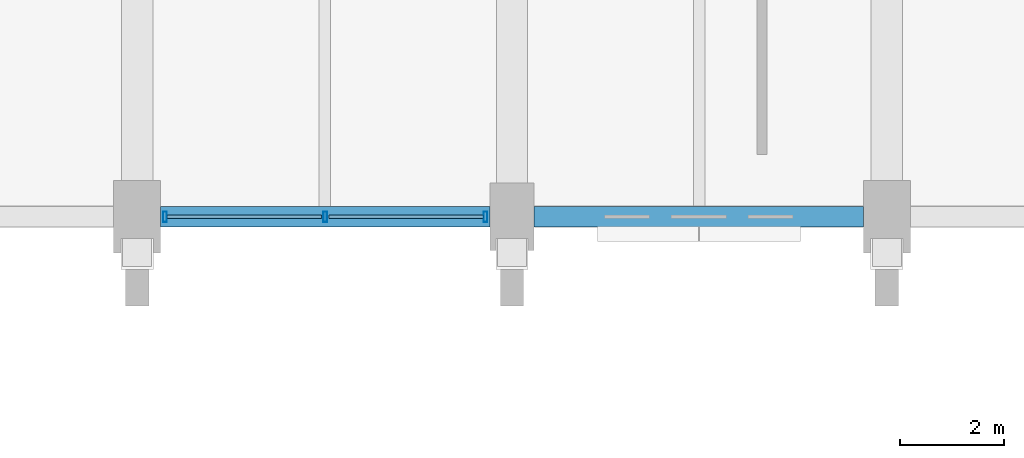
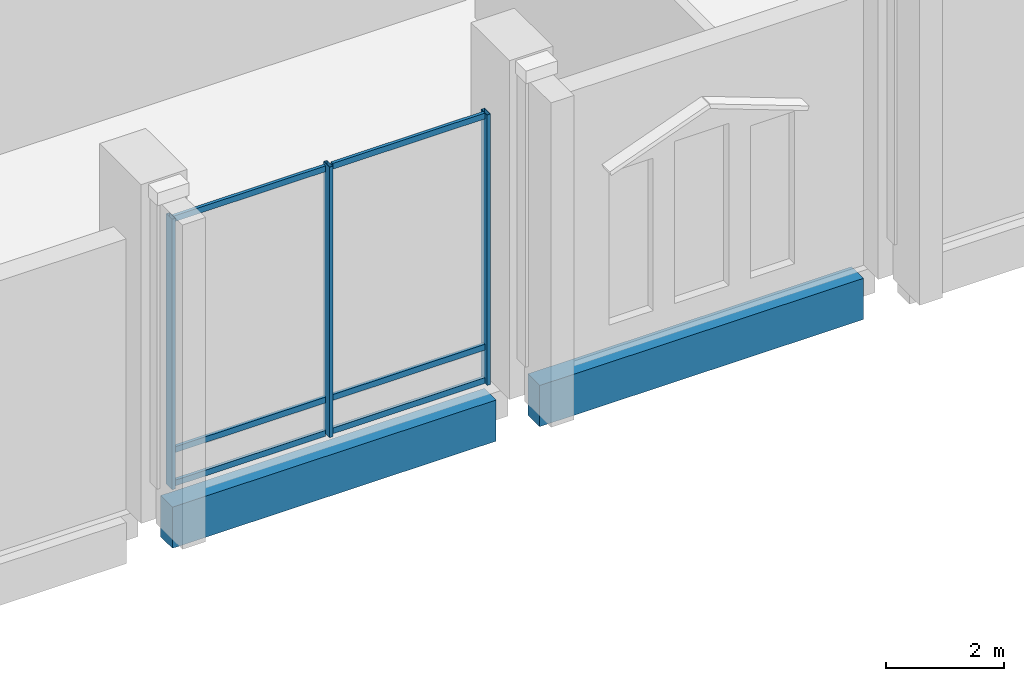
# One storey, part 36 of 220: 9 members, 2 beams, 1 element without a shape of its own.
"""IFC4 building model written with IfcOpenShell, lengths in metres."""

from ifc_helpers import new_model, si_unit, direction, frame, origin, origin_2d, place, context, subcontext, project, spatial, rectangle, hollow_rectangle, extrude, material, material_profile, profile_set, type_object, element, aggregate, save


model = new_model("IFC4")

# Units and contexts
model_context = context("Model", 3, precision=1e-05, world=origin(), true_north=direction((0.0, 1.0)))
body_context = subcontext(model_context, "Body", "Model", "MODEL_VIEW")
ifc_project = project(units=[si_unit("LENGTHUNIT", "METRE"), si_unit("AREAUNIT", "SQUARE_METRE"), si_unit("VOLUMEUNIT", "CUBIC_METRE"), si_unit("PLANEANGLEUNIT", "RADIAN"), si_unit("MASSUNIT", "GRAM", prefix="KILO")], contexts=[model_context])

# Site, building, storey
site_placement = place(None, origin())
site = spatial("IfcSite", under=ifc_project, at=site_placement, CompositionType="ELEMENT")
building_placement = place(site_placement, origin())
building = spatial("IfcBuilding", under=site, at=building_placement, Name="Cendralis Lancet Convention Centre", CompositionType="ELEMENT")
storey_placement = place(building_placement, frame((0.0, 0.0, 5.39990234375)))
storey = spatial("IfcBuildingStorey", under=building, at=storey_placement, Name="L01", CompositionType="ELEMENT", Elevation=5.39990234375)

# Curtain wall, members
ifc_material_1 = material(Name="Anodised bronze architectural aluminium", Category="aluminium")
curtain_wall_type = type_object("IfcCurtainWallType", Name="ARC-CW-CL02", PredefinedType="USERDEFINED", material=ifc_material_1)
curtain_wall_placement = place(storey_placement, origin())
curtain_wall = element("IfcCurtainWall", 1, at=curtain_wall_placement, inside=storey, type_object=curtain_wall_type, Name="L01 Curtain Wall CW-CL2 #097", ObjectType="CURTAIN WALL", PredefinedType="USERDEFINED")
ifc_material_profile_1 = material_profile(ifc_material_1, hollow_rectangle(XDim=0.070068359375, YDim=0.199951171875, WallThickness=0.0048828125, at=origin_2d()), Name="AL-MULL 70x200x5.0")
ifc_profile_set_1 = profile_set([ifc_material_profile_1], Name="Anodised bronze architectural aluminium")
member_type_1 = type_object("IfcMemberType", Name="ARC-CW-ML02", PredefinedType="MULLION", material=ifc_profile_set_1)
member_1_placement = place(storey_placement, frame((42.68994140625, 50.39990234375, 0.0), z_axis=(0.0, 0.0, 1.0), x_axis=(1.0, 0.0, 0.0)))
member_1 = element("IfcMember", 2, at=member_1_placement, type_object=member_type_1, Name="Mullion CW2-CW-CL2-L01-097-M0", PredefinedType="MULLION", context=body_context, shape_type="SweptSolid", body=[
    extrude(hollow_rectangle(XDim=0.070068359375, YDim=0.199951171875, WallThickness=0.0048828125, at=origin_2d()), origin(), (0.0, 0.0, 1.0), 5.585205078125),
])
member_2_placement = place(storey_placement, frame((39.612548828125, 50.39990234375, 0.0), z_axis=(0.0, 0.0, 1.0), x_axis=(1.0, 0.0, 0.0)))
member_2 = element("IfcMember", 3, at=member_2_placement, type_object=member_type_1, Name="Mullion CW2-CW-CL2-L01-097-M1", PredefinedType="MULLION", context=body_context, shape_type="SweptSolid", body=[
    extrude(hollow_rectangle(XDim=0.070068359375, YDim=0.199951171875, WallThickness=0.0048828125, at=origin_2d()), origin(), (0.0, 0.0, 1.0), 5.585205078125),
])
member_3_placement = place(storey_placement, frame((36.534912109375, 50.39990234375, 0.0), z_axis=(0.0, 0.0, 1.0), x_axis=(1.0, 0.0, 0.0)))
member_3 = element("IfcMember", 4, at=member_3_placement, type_object=member_type_1, Name="Mullion CW2-CW-CL2-L01-097-M2", PredefinedType="MULLION", context=body_context, shape_type="SweptSolid", body=[
    extrude(hollow_rectangle(XDim=0.070068359375, YDim=0.199951171875, WallThickness=0.0048828125, at=origin_2d()), origin(), (0.0, 0.0, 1.0), 5.585205078125),
])
ifc_material_profile_2 = material_profile(ifc_material_1, hollow_rectangle(XDim=0.06005859375, YDim=0.1201171875, WallThickness=0.00390625, at=origin_2d()), Name="AL-TRAN 60x120x4.0")
ifc_profile_set_2 = profile_set([ifc_material_profile_2], Name="Anodised bronze architectural aluminium")
member_type_2 = type_object("IfcMemberType", Name="ARC-CW-TR01", PredefinedType="USERDEFINED", material=ifc_profile_set_2)
member_4_placement = place(storey_placement, frame((42.655029296875, 50.39990234375, 0.06005859375), z_axis=(-1.0, 0.0, 0.0), x_axis=(0.0, -1.0, 0.0)))
member_4 = element("IfcMember", 5, at=member_4_placement, type_object=member_type_2, Name="Transom CW2-CW-CL2-L01-097-T0BOT", ObjectType="TRANSOM", PredefinedType="USERDEFINED", context=body_context, shape_type="SweptSolid", body=[
    extrude(hollow_rectangle(XDim=0.06005859375, YDim=0.1201171875, WallThickness=0.00390625, at=origin_2d()), origin(), (0.0, 0.0, 1.0), 2.972412109375),
])
member_5_placement = place(storey_placement, frame((42.655029296875, 50.39990234375, 0.75), z_axis=(-1.0, 0.0, 0.0), x_axis=(0.0, -1.0, 0.0)))
member_5 = element("IfcMember", 6, at=member_5_placement, type_object=member_type_2, Name="Transom CW2-CW-CL2-L01-097-T0MID", ObjectType="TRANSOM", PredefinedType="USERDEFINED", context=body_context, shape_type="SweptSolid", body=[
    extrude(hollow_rectangle(XDim=0.06005859375, YDim=0.1201171875, WallThickness=0.00390625, at=origin_2d()), origin(), (0.0, 0.0, 1.0), 2.972412109375),
])
member_6_placement = place(storey_placement, frame((42.655029296875, 50.39990234375, 5.525146484375), z_axis=(-1.0, 0.0, 0.0), x_axis=(0.0, -1.0, 0.0)))
member_6 = element("IfcMember", 7, at=member_6_placement, type_object=member_type_2, Name="Transom CW2-CW-CL2-L01-097-T0TOP", ObjectType="TRANSOM", PredefinedType="USERDEFINED", context=body_context, shape_type="SweptSolid", body=[
    extrude(hollow_rectangle(XDim=0.06005859375, YDim=0.1201171875, WallThickness=0.00390625, at=origin_2d()), origin(), (0.0, 0.0, 1.0), 2.972412109375),
])
member_7_placement = place(storey_placement, frame((39.54248046875, 50.39990234375, 0.06005859375), z_axis=(-1.0, 0.0, 0.0), x_axis=(0.0, -1.0, 0.0)))
member_7 = element("IfcMember", 8, at=member_7_placement, type_object=member_type_2, Name="Transom CW2-CW-CL2-L01-097-T1BOT", ObjectType="TRANSOM", PredefinedType="USERDEFINED", context=body_context, shape_type="SweptSolid", body=[
    extrude(hollow_rectangle(XDim=0.06005859375, YDim=0.1201171875, WallThickness=0.00390625, at=origin_2d()), origin(), (0.0, 0.0, 1.0), 2.972412109375),
])
member_8_placement = place(storey_placement, frame((39.54248046875, 50.39990234375, 0.75), z_axis=(-1.0, 0.0, 0.0), x_axis=(0.0, -1.0, 0.0)))
member_8 = element("IfcMember", 9, at=member_8_placement, type_object=member_type_2, Name="Transom CW2-CW-CL2-L01-097-T1MID", ObjectType="TRANSOM", PredefinedType="USERDEFINED", context=body_context, shape_type="SweptSolid", body=[
    extrude(hollow_rectangle(XDim=0.06005859375, YDim=0.1201171875, WallThickness=0.00390625, at=origin_2d()), origin(), (0.0, 0.0, 1.0), 2.972412109375),
])
member_9_placement = place(storey_placement, frame((39.54248046875, 50.39990234375, 5.525146484375), z_axis=(-1.0, 0.0, 0.0), x_axis=(0.0, -1.0, 0.0)))
member_9 = element("IfcMember", 10, at=member_9_placement, type_object=member_type_2, Name="Transom CW2-CW-CL2-L01-097-T1TOP", ObjectType="TRANSOM", PredefinedType="USERDEFINED", context=body_context, shape_type="SweptSolid", body=[
    extrude(hollow_rectangle(XDim=0.06005859375, YDim=0.1201171875, WallThickness=0.00390625, at=origin_2d()), origin(), (0.0, 0.0, 1.0), 2.972412109375),
])
aggregate(curtain_wall, [member_1, member_2, member_3, member_4, member_5, member_6, member_7, member_8, member_9])

# Beams
ifc_material_2 = material(Name="Concrete G40 (C40/50)", Category="concrete")
ifc_material_profile_3 = material_profile(ifc_material_2, rectangle(XDim=0.39990234375, YDim=0.85009765625, at=origin_2d()), Name="RCB 400x850")
ifc_profile_set_3 = profile_set([ifc_material_profile_3], Name="Concrete G40 (C40/50)")
beam_type = type_object("IfcBeamType", Name="STR-SP-SP02", PredefinedType="SPANDREL", material=ifc_profile_set_3)
for number, where, z_axis, x_axis, name in (
    (11, (36.449951171875, 50.39990234375, -0.704833984375), (1.0, 0.0, 0.0), (0.0, 1.0, 0.0), "L01 Beam SP02 #1198"),
    (12, (43.625, 50.39990234375, -0.704833984375), (1.0, 0.0, 0.0), (0.0, 1.0, 0.0), "L01 Beam SP02 #1200"),
):
    element("IfcBeam", number, at=place(storey_placement, frame(where, z_axis=z_axis, x_axis=x_axis)), inside=storey, type_object=beam_type, Name=name, PredefinedType="SPANDREL", context=body_context, shape_type="SweptSolid", body=[
        extrude(rectangle(XDim=0.39990234375, YDim=0.85009765625, at=origin_2d()), origin(), (0.0, 0.0, 1.0), 6.324951171875),
    ])

save(model, "model.ifc")
